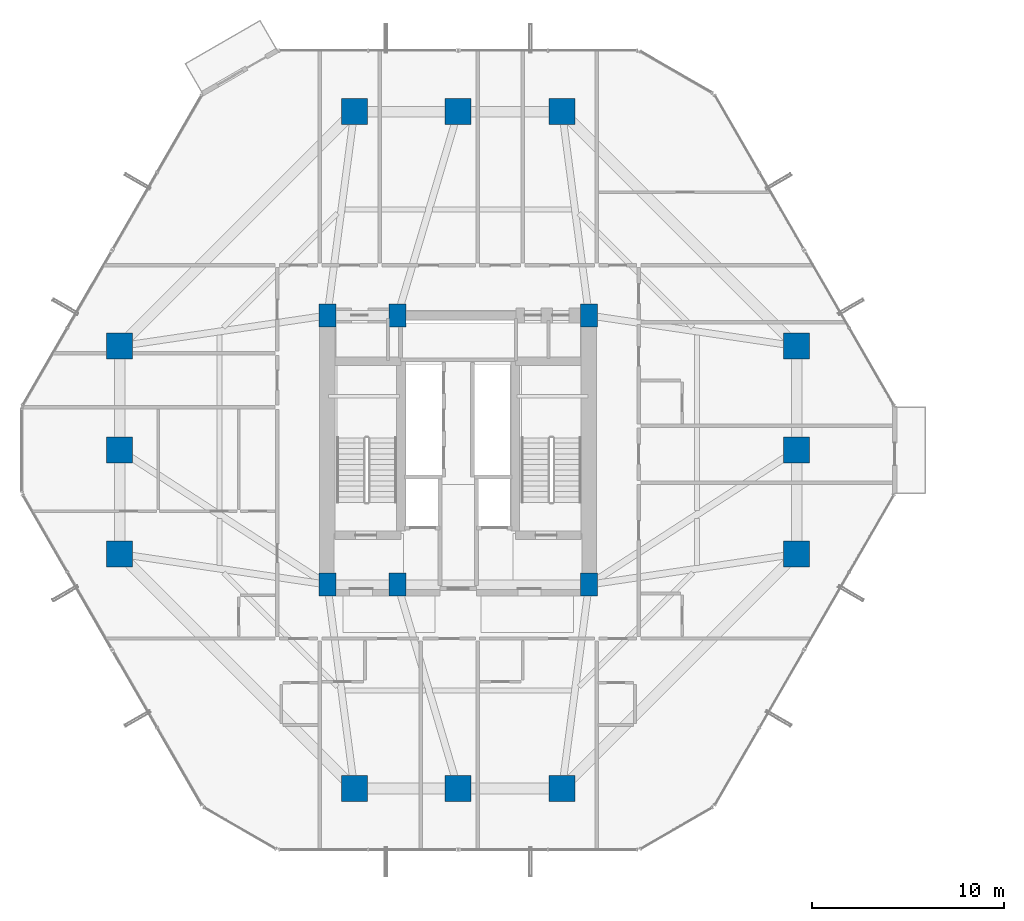
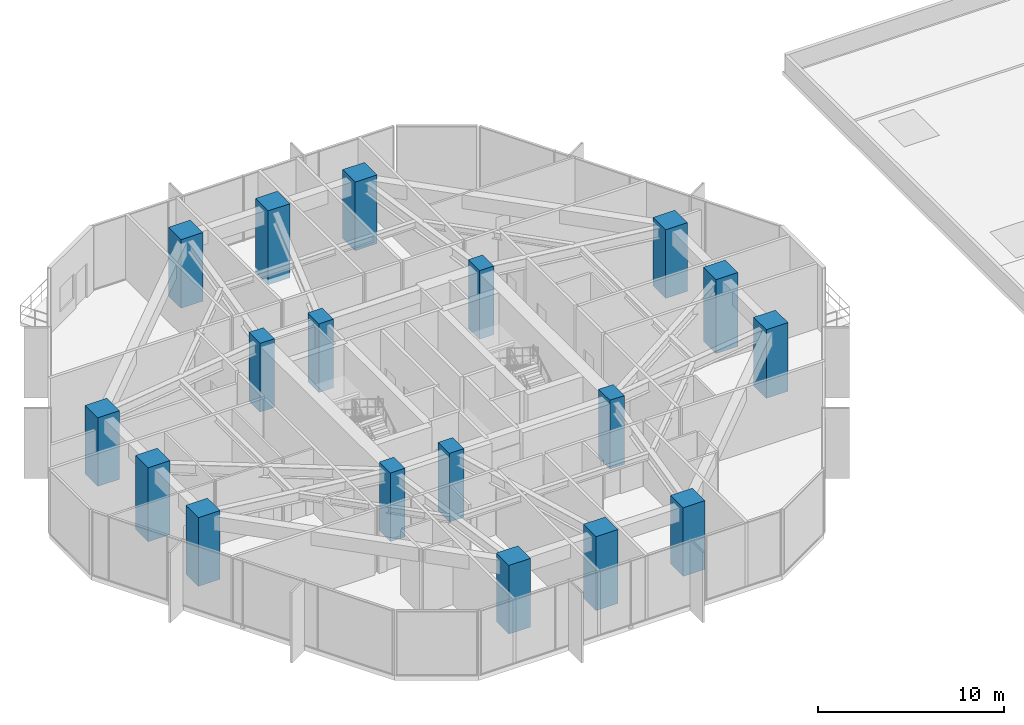
# One storey, part 1 of 39: 18 columns.
"""IFC4 building model written with IfcOpenShell, lengths in metres."""

from ifc_helpers import new_model, si_unit, direction, frame, origin, origin_2d, place, context, subcontext, project, spatial, rectangle, extrude, material, material_profile, profile_set, type_object, element, save


model = new_model("IFC4")

# Units and contexts
model_context = context("Model", 3, precision=1e-05, world=origin(), true_north=direction((0.0, 1.0)))
body_context = subcontext(model_context, "Body", "Model", "MODEL_VIEW")
ifc_project = project(units=[si_unit("LENGTHUNIT", "METRE"), si_unit("AREAUNIT", "SQUARE_METRE"), si_unit("VOLUMEUNIT", "CUBIC_METRE"), si_unit("PLANEANGLEUNIT", "RADIAN"), si_unit("MASSUNIT", "GRAM", prefix="KILO")], contexts=[model_context])

# Site, building, storey
site_placement = place(None, origin())
site = spatial("IfcSite", under=ifc_project, at=site_placement, CompositionType="ELEMENT")
building_placement = place(site_placement, origin())
building = spatial("IfcBuilding", under=site, at=building_placement, Name="Veraguas Prism Commons", CompositionType="ELEMENT")
storey_placement = place(building_placement, frame((0.0, 0.0, 22.800048828125)))
storey = spatial("IfcBuildingStorey", under=building, at=storey_placement, Name="L05", CompositionType="ELEMENT", Elevation=22.800048828125)

# Columns
ifc_material = material(Name="Concrete C60/75", Category="concrete")
ifc_material_profile_1 = material_profile(ifc_material, rectangle(XDim=1.35009765625, YDim=1.35009765625, at=origin_2d()), Name="RC1350X1350")
ifc_profile_set_1 = profile_set([ifc_material_profile_1], Name="Concrete C60/75")
column_type_1 = type_object("IfcColumnType", Name="Column Tube Z1 RC 1350x1350", PredefinedType="COLUMN", material=ifc_profile_set_1)
column_1_placement = place(storey_placement, frame((41.60009765625, 18.60009765625, 0.0), z_axis=(0.0, 0.0, 1.0), x_axis=(1.0, 0.0, 0.0)))
element("IfcColumn", 1, at=column_1_placement, inside=storey, type_object=column_type_1, Name="Tower Perimeter Column L05-TB01", PredefinedType="COLUMN", context=body_context, shape_type="SweptSolid", body=[
    extrude(rectangle(XDim=1.35009765625, YDim=1.35009765625, at=origin_2d()), origin(), (0.0, 0.0, 1.0), 4.5),
])
column_2_placement = place(storey_placement, frame((41.60009765625, 24.0, -0.35009765625), z_axis=(0.0, 0.0, 1.0), x_axis=(1.0, 0.0, 0.0)))
element("IfcColumn", 2, at=column_2_placement, inside=storey, type_object=column_type_1, Name="Tower Perimeter Column L05-TB02", PredefinedType="COLUMN", context=body_context, shape_type="SweptSolid", body=[
    extrude(rectangle(XDim=1.35009765625, YDim=1.35009765625, at=origin_2d()), origin(), (0.0, 0.0, 1.0), 4.85009765625),
])
for number, where, z_axis, x_axis, name in (
    (3, (41.60009765625, 29.39990234375, 0.0), (0.0, 0.0, 1.0), (1.0, 0.0, 0.0), "Tower Perimeter Column L05-TB03"),
    (4, (29.39990234375, 41.60009765625, 0.0), (0.0, 0.0, 1.0), (1.0, 0.0, 0.0), "Tower Perimeter Column L05-TB04"),
):
    element("IfcColumn", number, at=place(storey_placement, frame(where, z_axis=z_axis, x_axis=x_axis)), inside=storey, type_object=column_type_1, Name=name, PredefinedType="COLUMN", context=body_context, shape_type="SweptSolid", body=[
        extrude(rectangle(XDim=1.35009765625, YDim=1.35009765625, at=origin_2d()), origin(), (0.0, 0.0, 1.0), 4.5),
    ])
column_3_placement = place(storey_placement, frame((24.0, 41.60009765625, -0.35009765625), z_axis=(0.0, 0.0, 1.0), x_axis=(1.0, 0.0, 0.0)))
element("IfcColumn", 5, at=column_3_placement, inside=storey, type_object=column_type_1, Name="Tower Perimeter Column L05-TB05", PredefinedType="COLUMN", context=body_context, shape_type="SweptSolid", body=[
    extrude(rectangle(XDim=1.35009765625, YDim=1.35009765625, at=origin_2d()), origin(), (0.0, 0.0, 1.0), 4.85009765625),
])
for number, where, z_axis, x_axis, name in (
    (6, (18.60009765625, 41.60009765625, 0.0), (0.0, 0.0, 1.0), (1.0, 0.0, 0.0), "Tower Perimeter Column L05-TB06"),
    (7, (6.39990234375, 29.39990234375, 0.0), (0.0, 0.0, 1.0), (1.0, 0.0, 0.0), "Tower Perimeter Column L05-TB07"),
):
    element("IfcColumn", number, at=place(storey_placement, frame(where, z_axis=z_axis, x_axis=x_axis)), inside=storey, type_object=column_type_1, Name=name, PredefinedType="COLUMN", context=body_context, shape_type="SweptSolid", body=[
        extrude(rectangle(XDim=1.35009765625, YDim=1.35009765625, at=origin_2d()), origin(), (0.0, 0.0, 1.0), 4.5),
    ])
column_4_placement = place(storey_placement, frame((6.39990234375, 24.0, -0.35009765625), z_axis=(0.0, 0.0, 1.0), x_axis=(1.0, 0.0, 0.0)))
element("IfcColumn", 8, at=column_4_placement, inside=storey, type_object=column_type_1, Name="Tower Perimeter Column L05-TB08", PredefinedType="COLUMN", context=body_context, shape_type="SweptSolid", body=[
    extrude(rectangle(XDim=1.35009765625, YDim=1.35009765625, at=origin_2d()), origin(), (0.0, 0.0, 1.0), 4.85009765625),
])
for number, where, z_axis, x_axis, name in (
    (9, (6.39990234375, 18.60009765625, 0.0), (0.0, 0.0, 1.0), (1.0, 0.0, 0.0), "Tower Perimeter Column L05-TB09"),
    (10, (18.60009765625, 6.39990234375, 0.0), (0.0, 0.0, 1.0), (1.0, 0.0, 0.0), "Tower Perimeter Column L05-TB10"),
):
    element("IfcColumn", number, at=place(storey_placement, frame(where, z_axis=z_axis, x_axis=x_axis)), inside=storey, type_object=column_type_1, Name=name, PredefinedType="COLUMN", context=body_context, shape_type="SweptSolid", body=[
        extrude(rectangle(XDim=1.35009765625, YDim=1.35009765625, at=origin_2d()), origin(), (0.0, 0.0, 1.0), 4.5),
    ])
column_5_placement = place(storey_placement, frame((24.0, 6.39990234375, -0.35009765625), z_axis=(0.0, 0.0, 1.0), x_axis=(1.0, 0.0, 0.0)))
element("IfcColumn", 11, at=column_5_placement, inside=storey, type_object=column_type_1, Name="Tower Perimeter Column L05-TB11", PredefinedType="COLUMN", context=body_context, shape_type="SweptSolid", body=[
    extrude(rectangle(XDim=1.35009765625, YDim=1.35009765625, at=origin_2d()), origin(), (0.0, 0.0, 1.0), 4.85009765625),
])
column_6_placement = place(storey_placement, frame((29.39990234375, 6.39990234375, 0.0), z_axis=(0.0, 0.0, 1.0), x_axis=(1.0, 0.0, 0.0)))
element("IfcColumn", 12, at=column_6_placement, inside=storey, type_object=column_type_1, Name="Tower Perimeter Column L05-TB12", PredefinedType="COLUMN", context=body_context, shape_type="SweptSolid", body=[
    extrude(rectangle(XDim=1.35009765625, YDim=1.35009765625, at=origin_2d()), origin(), (0.0, 0.0, 1.0), 4.5),
])
ifc_material_profile_2 = material_profile(ifc_material, rectangle(XDim=0.89990234375, YDim=1.199951171875, at=origin_2d()), Name="RC900X1200")
ifc_profile_set_2 = profile_set([ifc_material_profile_2], Name="Concrete C60/75")
column_type_2 = type_object("IfcColumnType", Name="Pilaster Core Lower RC 900x1200", PredefinedType="PILASTER", material=ifc_profile_set_2)
for number, where, z_axis, x_axis, name in (
    (13, (17.199951171875, 17.0, 0.0), (0.0, 0.0, 1.0), (1.0, 0.0, 0.0), "Core Pilaster Column L05-CR1"),
    (14, (20.85009765625, 17.0, 0.0), (0.0, 0.0, 1.0), (1.0, 0.0, 0.0), "Core Pilaster Column L05-CR2"),
    (15, (30.800048828125, 17.0, 0.0), (0.0, 0.0, 1.0), (1.0, 0.0, 0.0), "Core Pilaster Column L05-CR3"),
    (16, (17.199951171875, 31.0, 0.0), (0.0, 0.0, 1.0), (1.0, 0.0, 0.0), "Core Pilaster Column L05-CR4"),
    (17, (20.85009765625, 31.0, 0.0), (0.0, 0.0, 1.0), (1.0, 0.0, 0.0), "Core Pilaster Column L05-CR5"),
    (18, (30.800048828125, 31.0, 0.0), (0.0, 0.0, 1.0), (1.0, 0.0, 0.0), "Core Pilaster Column L05-CR6"),
):
    element("IfcColumn", number, at=place(storey_placement, frame(where, z_axis=z_axis, x_axis=x_axis)), inside=storey, type_object=column_type_2, Name=name, PredefinedType="PILASTER", context=body_context, shape_type="SweptSolid", body=[
        extrude(rectangle(XDim=0.89990234375, YDim=1.199951171875, at=origin_2d()), origin(), (0.0, 0.0, 1.0), 4.5),
    ])

save(model, "model.ifc")
